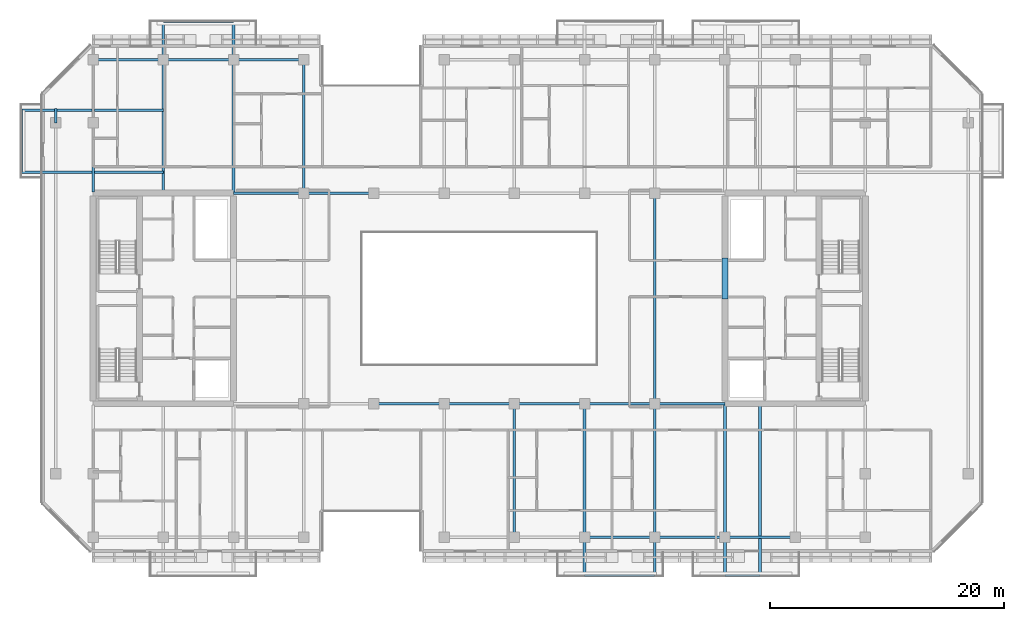
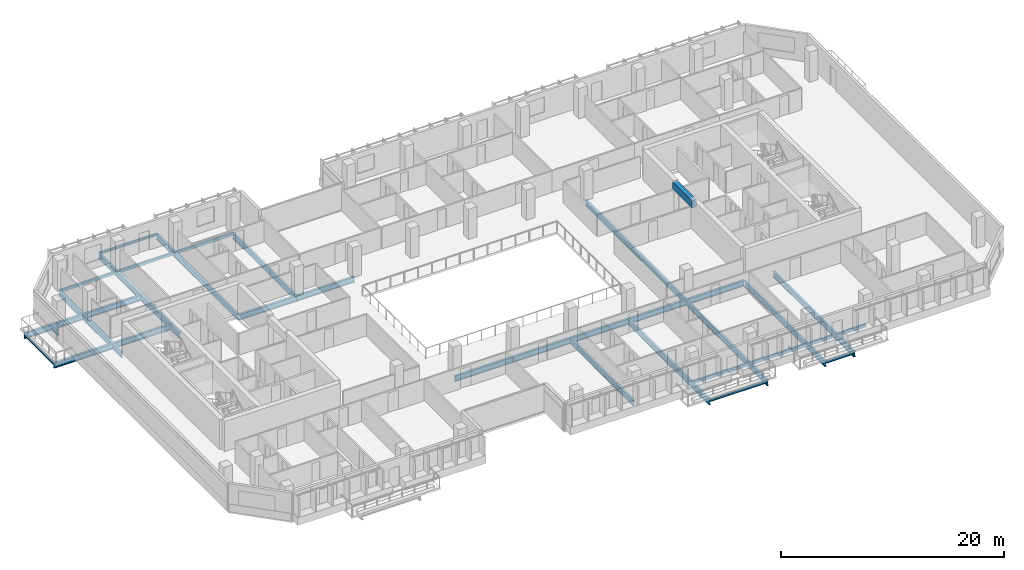
# One storey, part 5 of 21: 31 beams.
"""IFC4 building model written with IfcOpenShell, lengths in metres."""

from ifc_helpers import new_model, si_unit, direction, frame, origin, origin_2d, place, context, subcontext, project, spatial, rectangle, hollow_rectangle, i_section, extrude, material, material_profile, profile_set, type_object, element, save


model = new_model("IFC4")

# Units and contexts
model_context = context("Model", 3, precision=1e-05, world=origin(), true_north=direction((0.0, 1.0)))
body_context = subcontext(model_context, "Body", "Model", "MODEL_VIEW")
ifc_project = project(units=[si_unit("LENGTHUNIT", "METRE"), si_unit("AREAUNIT", "SQUARE_METRE"), si_unit("VOLUMEUNIT", "CUBIC_METRE"), si_unit("PLANEANGLEUNIT", "RADIAN"), si_unit("MASSUNIT", "GRAM", prefix="KILO")], contexts=[model_context])

# Site, building, storey
site_placement = place(None, origin())
site = spatial("IfcSite", under=ifc_project, at=site_placement, CompositionType="ELEMENT")
building_placement = place(site_placement, origin())
building = spatial("IfcBuilding", under=site, at=building_placement, Name="Tanjung Sevakor Pilgrim Tower", CompositionType="ELEMENT")
storey_placement = place(building_placement, frame((0.0, 0.0, 145.199951171875)))
storey = spatial("IfcBuildingStorey", under=building, at=storey_placement, Name="L40", CompositionType="ELEMENT", Elevation=145.199951171875)

# Beams
ifc_material_1 = material(Name="Steel S355J2", Category="steel")
ifc_material_profile_1 = material_profile(ifc_material_1, i_section(OverallWidth=0.230224609375, OverallDepth=0.6171875, WebThickness=0.01318359375, FlangeThickness=0.022216796875, FilletRadius=0.0126953125, at=origin_2d()))
ifc_profile_set_1 = profile_set([ifc_material_profile_1], Name="Steel S355J2")
beam_type_1 = type_object("IfcBeamType", Name="BM-B-G3-UB_610x229x140", PredefinedType="BEAM", material=ifc_profile_set_1)
for number, where, z_axis, x_axis, name in (
    (1, (48.0, 24.60009765625, -0.528564453125), (1.0, 0.0, 0.0), (0.0, 1.0, 0.0), "L40 Primary Floor Girder MAIN Y246-03"),
    (2, (54.0, 24.60009765625, -0.528564453125), (1.0, 0.0, 0.0), (0.0, 1.0, 0.0), "L40 Primary Floor Girder MAIN Y246-04"),
    (3, (60.0, 24.60009765625, -0.528564453125), (1.0, 0.0, 0.0), (0.0, 1.0, 0.0), "L40 Primary Floor Girder MAIN Y246-05"),
    (4, (66.0, 24.60009765625, -0.528564453125), (1.0, 0.0, 0.0), (0.0, 1.0, 0.0), "L40 Primary Floor Girder MAIN Y246-06"),
    (5, (72.0, 24.60009765625, -0.528564453125), (1.0, 0.0, 0.0), (0.0, 1.0, 0.0), "L40 Primary Floor Girder MAIN Y246-07"),
    (6, (36.0, 42.60009765625, -0.528564453125), (1.0, 0.0, 0.0), (0.0, 1.0, 0.0), "L40 Primary Floor Girder MAIN Y426-01"),
    (7, (42.0, 42.60009765625, -0.528564453125), (1.0, 0.0, 0.0), (0.0, 1.0, 0.0), "L40 Primary Floor Girder MAIN Y426-02"),
):
    element("IfcBeam", number, at=place(storey_placement, frame(where, z_axis=z_axis, x_axis=x_axis)), inside=storey, type_object=beam_type_1, Name=name, PredefinedType="BEAM", context=body_context, shape_type="SweptSolid", body=[
        extrude(i_section(OverallWidth=0.230224609375, OverallDepth=0.6171875, WebThickness=0.01318359375, FlangeThickness=0.022216796875, FilletRadius=0.0126953125, at=origin_2d()), origin(), (0.0, 0.0, 1.0), 6.0),
    ])
ifc_material_2 = material(Name="Steel S355J2", Category="steel")
ifc_material_profile_2 = material_profile(ifc_material_2, i_section(OverallWidth=0.22900390625, OverallDepth=0.6123046875, WebThickness=0.011962890625, FlangeThickness=0.01953125, FilletRadius=0.0126953125, at=origin_2d()))
ifc_profile_set_2 = profile_set([ifc_material_profile_2], Name="Steel S355J2")
beam_type_2 = type_object("IfcBeamType", Name="BM-B-G4-UB_610x229x125", PredefinedType="BEAM", material=ifc_profile_set_2)
beam_1_placement = place(storey_placement, frame((20.800048828125, 48.60009765625, -0.526123046875), z_axis=(0.0, 1.0, 0.0), x_axis=(-1.0, 0.0, 0.0)))
element("IfcBeam", 8, at=beam_1_placement, inside=storey, type_object=beam_type_2, Name="L40 Short-End Edge Extension N-W", PredefinedType="BEAM", context=body_context, shape_type="SweptSolid", body=[
    extrude(i_section(OverallWidth=0.22900390625, OverallDepth=0.6123046875, WebThickness=0.011962890625, FlangeThickness=0.01953125, FilletRadius=0.0126953125, at=origin_2d()), origin(), (0.0, 0.0, 1.0), 1.25),
])
for number, where, z_axis, x_axis, name in (
    (9, (30.0, 44.39990234375, -0.526123046875), (-1.0, 0.0, 0.0), (0.0, -1.0, 0.0), "L40 Balcony Overhanging Beam MAIN-W1-1"),
    (10, (30.0, 49.699951171875, -0.526123046875), (-1.0, 0.0, 0.0), (0.0, -1.0, 0.0), "L40 Balcony Overhanging Beam MAIN-W1-2"),
):
    element("IfcBeam", number, at=place(storey_placement, frame(where, z_axis=z_axis, x_axis=x_axis)), inside=storey, type_object=beam_type_2, Name=name, PredefinedType="BEAM", context=body_context, shape_type="SweptSolid", body=[
        extrude(i_section(OverallWidth=0.22900390625, OverallDepth=0.6123046875, WebThickness=0.011962890625, FlangeThickness=0.01953125, FilletRadius=0.0126953125, at=origin_2d()), origin(), (0.0, 0.0, 1.0), 12.1298828125),
    ])
beam_2_placement = place(storey_placement, frame((24.0, 42.715087890625, -0.526123046875), z_axis=(0.0, 1.0, 0.0), x_axis=(-1.0, 0.0, 0.0)))
element("IfcBeam", 11, at=beam_2_placement, inside=storey, type_object=beam_type_2, Name="L40 MAIN Girder 002", PredefinedType="BEAM", context=body_context, shape_type="SweptSolid", body=[
    extrude(i_section(OverallWidth=0.22900390625, OverallDepth=0.6123046875, WebThickness=0.011962890625, FlangeThickness=0.01953125, FilletRadius=0.0126953125, at=origin_2d()), origin(), (0.0, 0.0, 1.0), 11.284912109375),
])
for number, where, z_axis, x_axis, name in (
    (12, (30.0, 42.715087890625, -0.526123046875), (0.0, 1.0, 0.0), (-1.0, 0.0, 0.0), "L40 Balcony Cantilever Beam MAIN-N1-1"),
    (13, (36.0, 42.715087890625, -0.526123046875), (0.0, 1.0, 0.0), (-1.0, 0.0, 0.0), "L40 Balcony Cantilever Beam MAIN-N1-2"),
):
    element("IfcBeam", number, at=place(storey_placement, frame(where, z_axis=z_axis, x_axis=x_axis)), inside=storey, type_object=beam_type_2, Name=name, PredefinedType="BEAM", context=body_context, shape_type="SweptSolid", body=[
        extrude(i_section(OverallWidth=0.22900390625, OverallDepth=0.6123046875, WebThickness=0.011962890625, FlangeThickness=0.01953125, FilletRadius=0.0126953125, at=origin_2d()), origin(), (0.0, 0.0, 1.0), 14.56494140625),
    ])
beam_3_placement = place(storey_placement, frame((42.0, 42.60009765625, -0.526123046875), z_axis=(0.0, 1.0, 0.0), x_axis=(-1.0, 0.0, 0.0)))
element("IfcBeam", 14, at=beam_3_placement, inside=storey, type_object=beam_type_2, Name="L40 MAIN Girder 005", PredefinedType="BEAM", context=body_context, shape_type="SweptSolid", body=[
    extrude(i_section(OverallWidth=0.22900390625, OverallDepth=0.6123046875, WebThickness=0.011962890625, FlangeThickness=0.01953125, FilletRadius=0.0126953125, at=origin_2d()), origin(), (0.0, 0.0, 1.0), 11.39990234375),
])
beam_4_placement = place(storey_placement, frame((60.0, 13.199951171875, -0.526123046875), z_axis=(0.0, 1.0, 0.0), x_axis=(-1.0, 0.0, 0.0)))
element("IfcBeam", 15, at=beam_4_placement, inside=storey, type_object=beam_type_2, Name="L40 MAIN Girder 008", PredefinedType="BEAM", context=body_context, shape_type="SweptSolid", body=[
    extrude(i_section(OverallWidth=0.22900390625, OverallDepth=0.6123046875, WebThickness=0.011962890625, FlangeThickness=0.01953125, FilletRadius=0.0126953125, at=origin_2d()), origin(), (0.0, 0.0, 1.0), 11.400146484375),
])
for number, where, z_axis, x_axis, name in (
    (16, (66.0, 24.60009765625, -0.526123046875), (0.0, -1.0, 0.0), (1.0, 0.0, 0.0), "L40 Balcony Cantilever Beam MAIN-S2-1"),
    (17, (72.0, 24.60009765625, -0.526123046875), (0.0, -1.0, 0.0), (1.0, 0.0, 0.0), "L40 Balcony Cantilever Beam MAIN-S2-2"),
):
    element("IfcBeam", number, at=place(storey_placement, frame(where, z_axis=z_axis, x_axis=x_axis)), inside=storey, type_object=beam_type_2, Name=name, PredefinedType="BEAM", context=body_context, shape_type="SweptSolid", body=[
        extrude(i_section(OverallWidth=0.22900390625, OverallDepth=0.6123046875, WebThickness=0.011962890625, FlangeThickness=0.01953125, FilletRadius=0.0126953125, at=origin_2d()), origin(), (0.0, 0.0, 1.0), 14.68017578125),
    ])
beam_5_placement = place(storey_placement, frame((72.0, 24.60009765625, -0.526123046875), z_axis=(0.0, 1.0, 0.0), x_axis=(-1.0, 0.0, 0.0)))
element("IfcBeam", 18, at=beam_5_placement, inside=storey, type_object=beam_type_2, Name="L40 MAIN Girder 010", PredefinedType="BEAM", context=body_context, shape_type="SweptSolid", body=[
    extrude(i_section(OverallWidth=0.22900390625, OverallDepth=0.6123046875, WebThickness=0.011962890625, FlangeThickness=0.01953125, FilletRadius=0.0126953125, at=origin_2d()), origin(), (0.0, 0.0, 1.0), 18.0),
])
for number, where, z_axis, x_axis, name in (
    (19, (78.0, 24.48486328125, -0.526123046875), (0.0, -1.0, 0.0), (1.0, 0.0, 0.0), "L40 Balcony Cantilever Beam MAIN-S3-1"),
    (20, (81.0, 24.48486328125, -0.526123046875), (0.0, -1.0, 0.0), (1.0, 0.0, 0.0), "L40 Balcony Cantilever Beam MAIN-S3-2"),
):
    element("IfcBeam", number, at=place(storey_placement, frame(where, z_axis=z_axis, x_axis=x_axis)), inside=storey, type_object=beam_type_2, Name=name, PredefinedType="BEAM", context=body_context, shape_type="SweptSolid", body=[
        extrude(i_section(OverallWidth=0.22900390625, OverallDepth=0.6123046875, WebThickness=0.011962890625, FlangeThickness=0.01953125, FilletRadius=0.0126953125, at=origin_2d()), origin(), (0.0, 0.0, 1.0), 14.56494140625),
    ])
ifc_material_3 = material(Name="Steel S355J2", Category="steel")
ifc_material_profile_3 = material_profile(ifc_material_3, i_section(OverallWidth=0.146484375, OverallDepth=0.256103515625, WebThickness=0.00634765625, FlangeThickness=0.010986328125, FilletRadius=0.007568359375, at=origin_2d()))
ifc_profile_set_3 = profile_set([ifc_material_profile_3], Name="Steel S355J2")
beam_type_3 = type_object("IfcBeamType", Name="BM-B-J6-UB_254x146x37", PredefinedType="JOIST", material=ifc_profile_set_3)
for number, where, z_axis, x_axis, name in (
    (21, (30.0, 57.280029296875, -0.327880859375), (1.0, 0.0, 0.0), (0.0, 1.0, 0.0), "L40 Balcony Rim Tie MAIN-N1"),
    (22, (66.0, 9.919921875, -0.327880859375), (1.0, 0.0, 0.0), (0.0, 1.0, 0.0), "L40 Balcony Rim Tie MAIN-S2"),
):
    element("IfcBeam", number, at=place(storey_placement, frame(where, z_axis=z_axis, x_axis=x_axis)), inside=storey, type_object=beam_type_3, Name=name, PredefinedType="JOIST", context=body_context, shape_type="SweptSolid", body=[
        extrude(i_section(OverallWidth=0.146484375, OverallDepth=0.256103515625, WebThickness=0.00634765625, FlangeThickness=0.010986328125, FilletRadius=0.007568359375, at=origin_2d()), origin(), (0.0, 0.0, 1.0), 6.0),
    ])
beam_6_placement = place(storey_placement, frame((78.0, 9.919921875, -0.327880859375), z_axis=(1.0, 0.0, 0.0), x_axis=(0.0, 1.0, 0.0)))
element("IfcBeam", 23, at=beam_6_placement, inside=storey, type_object=beam_type_3, Name="L40 Balcony Rim Tie MAIN-S3", PredefinedType="JOIST", context=body_context, shape_type="SweptSolid", body=[
    extrude(i_section(OverallWidth=0.146484375, OverallDepth=0.256103515625, WebThickness=0.00634765625, FlangeThickness=0.010986328125, FilletRadius=0.007568359375, at=origin_2d()), origin(), (0.0, 0.0, 1.0), 3.0),
])
beam_7_placement = place(storey_placement, frame((17.8701171875, 44.39990234375, -0.327880859375), z_axis=(0.0, 1.0, 0.0), x_axis=(-1.0, 0.0, 0.0)))
element("IfcBeam", 24, at=beam_7_placement, inside=storey, type_object=beam_type_3, Name="L40 Balcony Rim Tie MAIN-W1", PredefinedType="JOIST", context=body_context, shape_type="SweptSolid", body=[
    extrude(i_section(OverallWidth=0.146484375, OverallDepth=0.256103515625, WebThickness=0.00634765625, FlangeThickness=0.010986328125, FilletRadius=0.007568359375, at=origin_2d()), origin(), (0.0, 0.0, 1.0), 5.300048828125),
])
ifc_material_4 = material(Name="Concrete C60/75", Category="concrete")
ifc_material_profile_4 = material_profile(ifc_material_4, rectangle(XDim=0.5, YDim=0.800048828125, at=origin_2d()))
ifc_profile_set_4 = profile_set([ifc_material_profile_4], Name="Concrete C60/75")
beam_type_4 = type_object("IfcBeamType", Name="BM-B-LN2-RC-BM_500x800", PredefinedType="LINTEL", material=ifc_profile_set_4)
beam_8_placement = place(storey_placement, frame((78.0, 33.550048828125, 2.679931640625), z_axis=(0.0, 1.0, 0.0), x_axis=(-1.0, 0.0, 0.0)))
element("IfcBeam", 25, at=beam_8_placement, inside=storey, type_object=beam_type_4, Name="L40 E Core Coupling Lintel", PredefinedType="LINTEL", context=body_context, shape_type="SweptSolid", body=[
    extrude(rectangle(XDim=0.5, YDim=0.800048828125, at=origin_2d()), origin(), (0.0, 0.0, 1.0), 3.5),
])
ifc_material_5 = material(Name="Steel S355J2", Category="steel")
ifc_material_profile_5 = material_profile(ifc_material_5, hollow_rectangle(XDim=0.199951171875, YDim=0.300048828125, WallThickness=0.012451171875, at=origin_2d()))
ifc_profile_set_5 = profile_set([ifc_material_profile_5], Name="Steel S355J2")
beam_type_5 = type_object("IfcBeamType", Name="BM-B-SP3-RHS_300x200x12.5", PredefinedType="SPANDREL", material=ifc_profile_set_5)
for number, where, z_axis, x_axis, name in (
    (26, (24.0, 54.0, -0.369873046875), (1.0, 0.0, 0.0), (0.0, 1.0, 0.0), "L40 Spandrel MAIN N-02"),
    (27, (30.0, 54.0, -0.369873046875), (1.0, 0.0, 0.0), (0.0, 1.0, 0.0), "L40 Spandrel MAIN N-04"),
    (28, (36.0, 54.0, -0.369873046875), (1.0, 0.0, 0.0), (0.0, 1.0, 0.0), "L40 Spandrel MAIN N-06"),
    (29, (66.0, 13.199951171875, -0.369873046875), (1.0, 0.0, 0.0), (0.0, 1.0, 0.0), "L40 Spandrel MAIN S-11"),
    (30, (72.0, 13.199951171875, -0.369873046875), (1.0, 0.0, 0.0), (0.0, 1.0, 0.0), "L40 Spandrel MAIN S-13"),
    (31, (78.0, 13.199951171875, -0.369873046875), (1.0, 0.0, 0.0), (0.0, 1.0, 0.0), "L40 Spandrel MAIN S-15"),
):
    element("IfcBeam", number, at=place(storey_placement, frame(where, z_axis=z_axis, x_axis=x_axis)), inside=storey, type_object=beam_type_5, Name=name, PredefinedType="SPANDREL", context=body_context, shape_type="SweptSolid", body=[
        extrude(hollow_rectangle(XDim=0.199951171875, YDim=0.300048828125, WallThickness=0.012451171875, at=origin_2d()), origin(), (0.0, 0.0, 1.0), 6.0),
    ])

save(model, "model.ifc")
